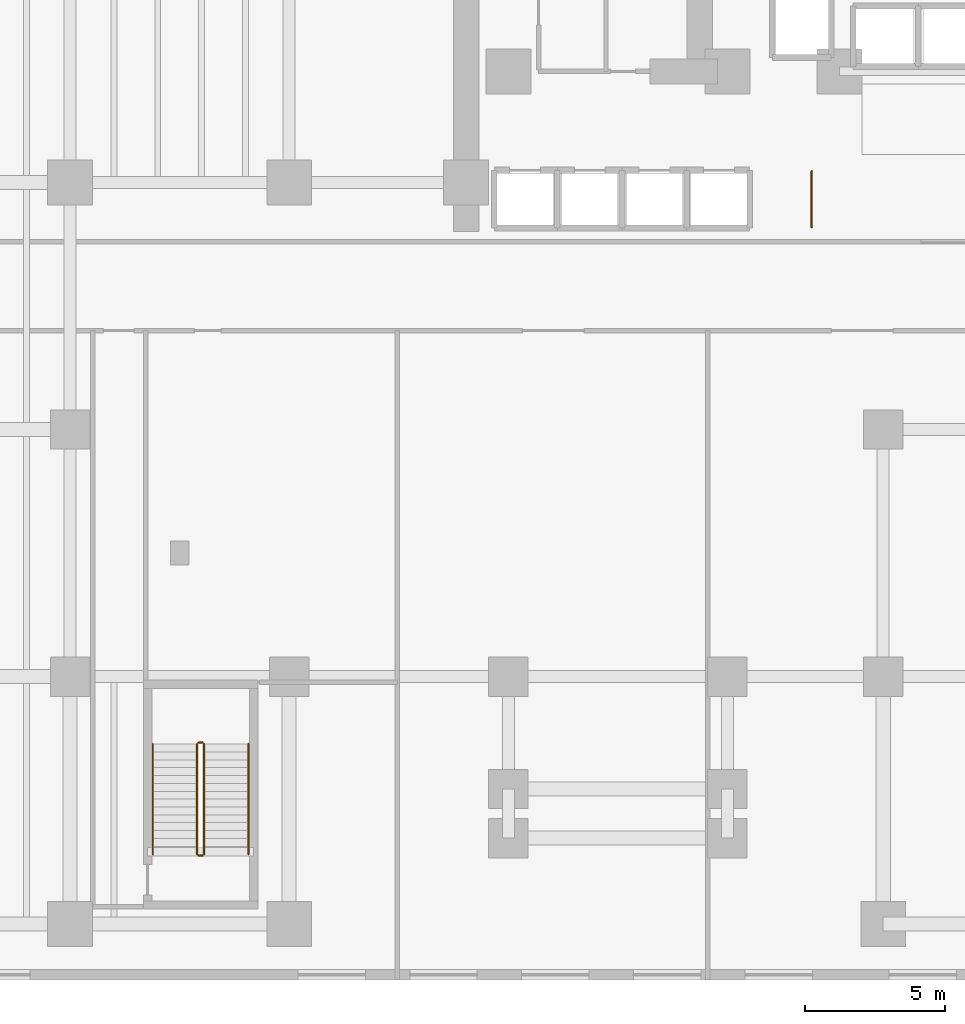
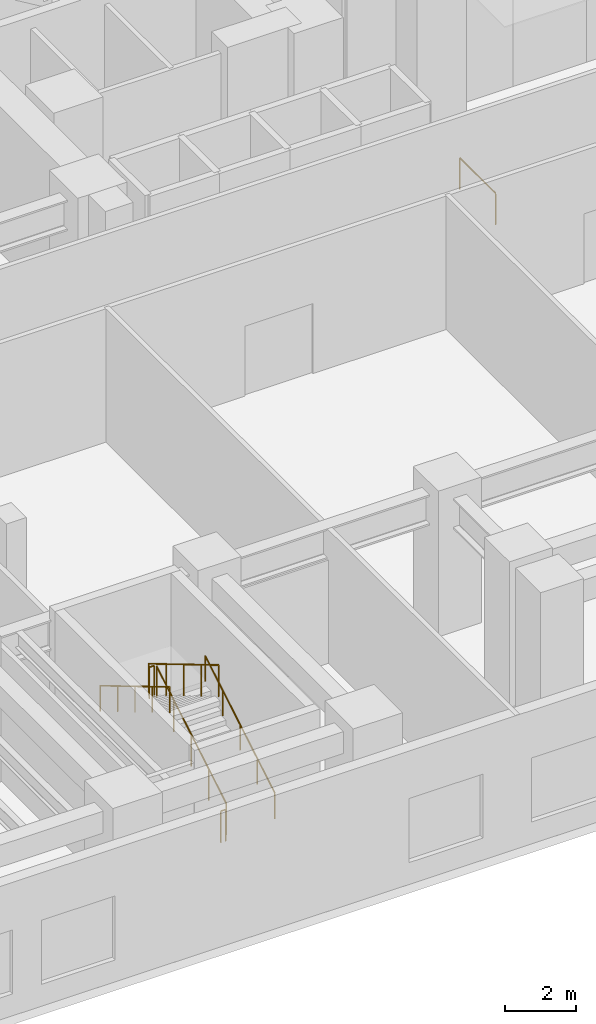
# One storey, part 18 of 20: 7 railings.
"""IFC4 building model written with IfcOpenShell, lengths in metres."""

from ifc_helpers import new_model, si_unit, direction, frame, origin, origin_2d, place, context, subcontext, project, spatial, circle, extrude, material, type_object, element, save


model = new_model("IFC4")

# Units and contexts
model_context = context("Model", 3, precision=1e-05, world=origin(), true_north=direction((0.0, 1.0)))
body_context = subcontext(model_context, "Body", "Model", "MODEL_VIEW")
ifc_project = project(units=[si_unit("LENGTHUNIT", "METRE"), si_unit("AREAUNIT", "SQUARE_METRE"), si_unit("VOLUMEUNIT", "CUBIC_METRE"), si_unit("PLANEANGLEUNIT", "RADIAN"), si_unit("MASSUNIT", "GRAM", prefix="KILO")], contexts=[model_context])

# Site, building, storey
site_placement = place(None, origin())
site = spatial("IfcSite", under=ifc_project, at=site_placement, CompositionType="ELEMENT")
building_placement = place(site_placement, origin())
building = spatial("IfcBuilding", under=site, at=building_placement, Name="Kestravale Grand Hotel", CompositionType="ELEMENT")
storey_placement = place(building_placement, frame((0.0, 0.0, 15.800048828125)))
storey = spatial("IfcBuildingStorey", under=building, at=storey_placement, Name="L03", CompositionType="ELEMENT", Elevation=15.800048828125)

# Railings
ifc_material_1 = material(Name="Art Deco fluted bronze interior gallery balustrade", Category="steel")
railing_type_1 = type_object("IfcRailingType", Name="RL-INT-BAL1100", PredefinedType="BALUSTRADE", material=ifc_material_1)
railing_1_placement = place(storey_placement, frame((34.199951171875, 27.199951171875, 0.0)))
element("IfcRailing", 1, at=railing_1_placement, inside=storey, type_object=railing_type_1, Name="L03 Art Deco bronze concourse balustrade", PredefinedType="BALUSTRADE", context=body_context, shape_type="SweptSolid", body=[
    extrude(circle(Radius=0.02392578125, at=origin_2d()), frame((0.0, 0.0, 1.076171875), z_axis=(0.0, 1.0, 0.0), x_axis=(-1.0, 0.0, 0.0)), (0.0, 0.0, 1.0), 2.0),
    extrude(circle(Radius=0.02099609375, at=origin_2d()), origin(), (0.0, 0.0, 1.0), 1.052001953125),
    extrude(circle(Radius=0.02099609375, at=origin_2d()), frame((0.0, 2.0, 0.0)), (0.0, 0.0, 1.0), 1.052001953125),
])
ifc_material_2 = material(Name="Painted tubular steel stair well guard", Category="steel")
railing_type_2 = type_object("IfcRailingType", Name="RL-ST-GRD1100", PredefinedType="GUARDRAIL", material=ifc_material_2)
railing_2_placement = place(storey_placement, frame((12.570068359375, 4.8798828125, 0.16650390625)))
element("IfcRailing", 2, at=railing_2_placement, inside=storey, type_object=railing_type_2, Name="L03 ST-4 stair guard 1", PredefinedType="GUARDRAIL", context=body_context, shape_type="SweptSolid", body=[
    extrude(circle(Radius=0.02392578125, at=origin_2d()), frame((0.0, 0.0, 1.076171875), z_axis=(0.0, 0.859286724212, 0.511494208758), x_axis=(-1.0, 0.0, 0.0)), (0.0, 0.0, 1.0), 4.56201171875),
    extrude(circle(Radius=0.02099609375, at=origin_2d()), origin(), (0.0, 0.0, 1.0), 1.052001953125),
    extrude(circle(Radius=0.02099609375, at=origin_2d()), frame((0.0, 0.97998046875, 0.58349609375)), (0.0, 0.0, 1.0), 1.052001953125),
    extrude(circle(Radius=0.02099609375, at=origin_2d()), frame((0.0, 1.9599609375, 1.166748046875)), (0.0, 0.0, 1.0), 1.052001953125),
    extrude(circle(Radius=0.02099609375, at=origin_2d()), frame((0.0, 2.940185546875, 1.75)), (0.0, 0.0, 1.0), 1.052001953125),
    extrude(circle(Radius=0.02099609375, at=origin_2d()), frame((0.0, 3.920166015625, 2.33349609375)), (0.0, 0.0, 1.0), 1.052001953125),
])
railing_3_placement = place(storey_placement, frame((12.52001953125, 8.85009765625, 2.5)))
element("IfcRailing", 3, at=railing_3_placement, inside=storey, type_object=railing_type_2, Name="L03 ST-4 stair guard 2", PredefinedType="GUARDRAIL", context=body_context, shape_type="SweptSolid", body=[
    extrude(circle(Radius=0.02392578125, at=origin_2d()), frame((0.0, 0.0, 1.076171875), z_axis=(-1.0, 0.0, 0.0), x_axis=(0.0, -1.0, 0.0)), (0.0, 0.0, 1.0), 0.14990234375),
    extrude(circle(Radius=0.02099609375, at=origin_2d()), origin(), (0.0, 0.0, 1.0), 1.052001953125),
    extrude(circle(Radius=0.02099609375, at=origin_2d()), frame((-0.14990234375, 0.0, 0.0)), (0.0, 0.0, 1.0), 1.052001953125),
])
railing_4_placement = place(storey_placement, frame((12.320068359375, 8.800048828125, 2.66650390625)))
element("IfcRailing", 4, at=railing_4_placement, inside=storey, type_object=railing_type_2, Name="L03 ST-4 stair guard 3", PredefinedType="GUARDRAIL", context=body_context, shape_type="SweptSolid", body=[
    extrude(circle(Radius=0.02392578125, at=origin_2d()), frame((0.0, 0.0, 1.076171875), z_axis=(0.0, -0.859286724212, 0.511494208758), x_axis=(1.0, 0.0, 0.0)), (0.0, 0.0, 1.0), 4.56201171875),
    extrude(circle(Radius=0.02099609375, at=origin_2d()), origin(), (0.0, 0.0, 1.0), 1.052001953125),
    extrude(circle(Radius=0.02099609375, at=origin_2d()), frame((0.0, -0.97998046875, 0.58349609375)), (0.0, 0.0, 1.0), 1.052001953125),
    extrude(circle(Radius=0.02099609375, at=origin_2d()), frame((0.0, -1.9599609375, 1.166748046875)), (0.0, 0.0, 1.0), 1.052001953125),
    extrude(circle(Radius=0.02099609375, at=origin_2d()), frame((0.0, -2.940185546875, 1.75)), (0.0, 0.0, 1.0), 1.052001953125),
    extrude(circle(Radius=0.02099609375, at=origin_2d()), frame((0.0, -3.920166015625, 2.33349609375)), (0.0, 0.0, 1.0), 1.052001953125),
])
railing_5_placement = place(storey_placement, frame((12.52001953125, 4.830078125, 0.0)))
element("IfcRailing", 5, at=railing_5_placement, inside=storey, type_object=railing_type_2, Name="L03 ST-4 stair guard 4", PredefinedType="GUARDRAIL", context=body_context, shape_type="SweptSolid", body=[
    extrude(circle(Radius=0.02392578125, at=origin_2d()), frame((0.0, 0.0, 1.076171875), z_axis=(-1.0, 0.0, 0.0), x_axis=(0.0, -1.0, 0.0)), (0.0, 0.0, 1.0), 0.14990234375),
    extrude(circle(Radius=0.02099609375, at=origin_2d()), origin(), (0.0, 0.0, 1.0), 1.052001953125),
    extrude(circle(Radius=0.02099609375, at=origin_2d()), frame((-0.14990234375, 0.0, 0.0)), (0.0, 0.0, 1.0), 1.052001953125),
])
ifc_material_3 = material(Name="Brushed stainless steel wall handrail", Category="steel")
railing_type_3 = type_object("IfcRailingType", Name="RL-ST-HND900", PredefinedType="HANDRAIL", material=ifc_material_3)
railing_6_placement = place(storey_placement, frame((14.14990234375, 4.8798828125, 0.16650390625)))
element("IfcRailing", 6, at=railing_6_placement, inside=storey, type_object=railing_type_3, Name="L03 ST-4 stair handrail 1", PredefinedType="HANDRAIL", context=body_context, shape_type="SweptSolid", body=[
    extrude(circle(Radius=0.02392578125, at=origin_2d()), frame((0.0, 0.0, 0.8759765625), z_axis=(0.0, 0.859286724212, 0.511494208758), x_axis=(-1.0, 0.0, 0.0)), (0.0, 0.0, 1.0), 4.56201171875),
    extrude(circle(Radius=0.02099609375, at=origin_2d()), origin(), (0.0, 0.0, 1.0), 0.851806640625),
    extrude(circle(Radius=0.02099609375, at=origin_2d()), frame((0.0, 0.97998046875, 0.58349609375)), (0.0, 0.0, 1.0), 0.851806640625),
    extrude(circle(Radius=0.02099609375, at=origin_2d()), frame((0.0, 1.9599609375, 1.166748046875)), (0.0, 0.0, 1.0), 0.851806640625),
    extrude(circle(Radius=0.02099609375, at=origin_2d()), frame((0.0, 2.940185546875, 1.75)), (0.0, 0.0, 1.0), 0.851806640625),
    extrude(circle(Radius=0.02099609375, at=origin_2d()), frame((0.0, 3.920166015625, 2.33349609375)), (0.0, 0.0, 1.0), 0.851806640625),
])
railing_7_placement = place(storey_placement, frame((10.739990234375, 8.800048828125, 2.66650390625)))
element("IfcRailing", 7, at=railing_7_placement, inside=storey, type_object=railing_type_3, Name="L03 ST-4 stair handrail 2", PredefinedType="HANDRAIL", context=body_context, shape_type="SweptSolid", body=[
    extrude(circle(Radius=0.02392578125, at=origin_2d()), frame((0.0, 0.0, 0.8759765625), z_axis=(0.0, -0.859286724212, 0.511494208758), x_axis=(1.0, 0.0, 0.0)), (0.0, 0.0, 1.0), 4.56201171875),
    extrude(circle(Radius=0.02099609375, at=origin_2d()), origin(), (0.0, 0.0, 1.0), 0.851806640625),
    extrude(circle(Radius=0.02099609375, at=origin_2d()), frame((0.0, -0.97998046875, 0.58349609375)), (0.0, 0.0, 1.0), 0.851806640625),
    extrude(circle(Radius=0.02099609375, at=origin_2d()), frame((0.0, -1.9599609375, 1.166748046875)), (0.0, 0.0, 1.0), 0.851806640625),
    extrude(circle(Radius=0.02099609375, at=origin_2d()), frame((0.0, -2.940185546875, 1.75)), (0.0, 0.0, 1.0), 0.851806640625),
    extrude(circle(Radius=0.02099609375, at=origin_2d()), frame((0.0, -3.920166015625, 2.33349609375)), (0.0, 0.0, 1.0), 0.851806640625),
])

save(model, "model.ifc")
